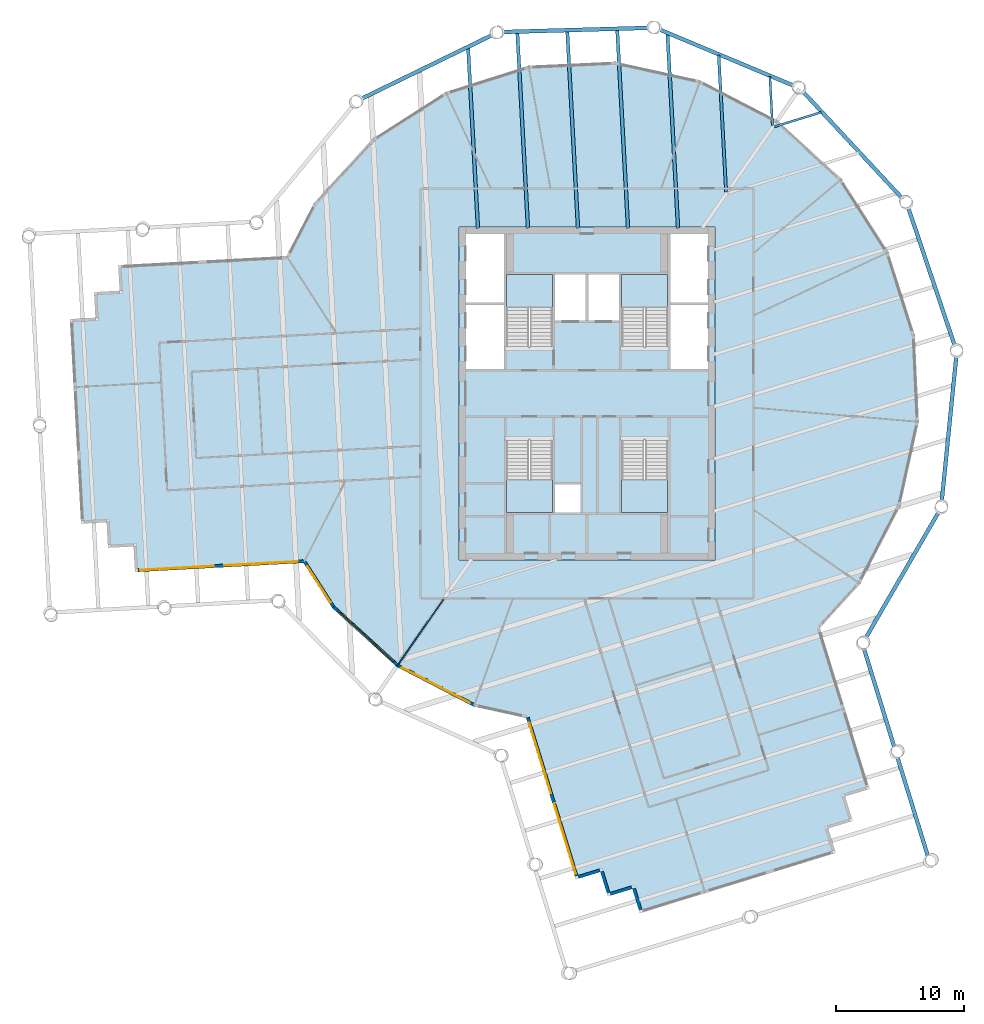
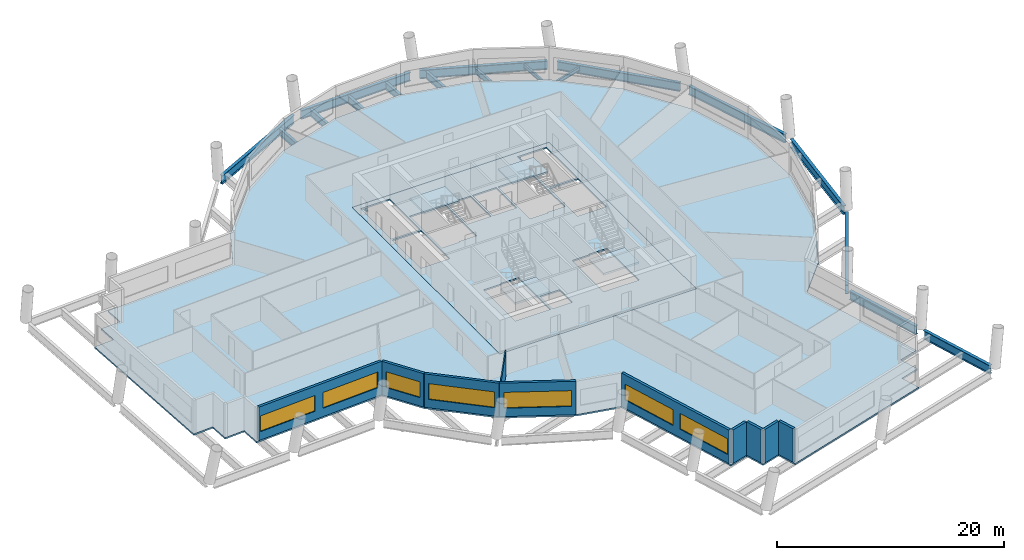
# One storey, part 2 of 11: 17 beams, 10 walls, 7 windows, 6 slabs, 7 openings, 4 elements without a shape of their own.
"""IFC4 building model written with IfcOpenShell, lengths in metres."""

import ifcopenshell
import ifcopenshell.guid

model = None  # the IFC model being written
_history = None  # IfcOwnerHistory: only IFC2X3 demands one
_inside = {}  # id of a spatial element -> (the spatial element, [elements in it])
_under = {}  # id of a project, library or spatial element -> (it, [spatial elements below it])
_declared = {}  # id of a project -> (the project, [libraries it declares])
_typed = {}  # id of a type object -> (the type object, [elements of that type])
_made_of = {}  # id of a material, layer set ... -> (it, [elements and type objects made of it])


def new_model(schema):
    """Start an empty IFC model of exactly this schema.

    Asked for "IFC4X3", IfcOpenShell would pick the latest addendum, in which some entities
    have other attributes; the version numbers below select the first issue.
    IFC2X3 requires an IfcOwnerHistory on every rooted entity: one is made here for all.
    """
    global model, _history
    if schema == "IFC4X3":
        model = ifcopenshell.file(schema_version=(4, 3, 0, 0))
    else:
        model = ifcopenshell.file(schema=schema)
    _inside.clear()
    _under.clear()
    _declared.clear()
    _typed.clear()
    _made_of.clear()
    _history = None
    if model.schema == "IFC2X3":
        org = make("IfcOrganization", Name="unknown")
        user = make(
            "IfcPersonAndOrganization",
            ThePerson=make("IfcPerson", FamilyName="unknown"),
            TheOrganization=org,
        )
        app = make(
            "IfcApplication",
            ApplicationDeveloper=org,
            Version="unknown",
            ApplicationFullName="unknown",
            ApplicationIdentifier="unknown",
        )
        _history = make(
            "IfcOwnerHistory",
            OwningUser=user,
            OwningApplication=app,
            ChangeAction="ADDED",
            CreationDate=0,
        )
    return model


def make(cls, **values):
    """One entity of the class cls with the attributes given. An attribute that is None is left unset."""
    return model.create_entity(
        cls, **{name: value for name, value in values.items() if value is not None}
    )


def rooted(cls, **values):
    """An entity with a GlobalId (a new one), such as an element, a storey or a relation."""
    return make(cls, GlobalId=ifcopenshell.guid.new(), OwnerHistory=_history, **values)


def si_unit(unit_type, name, prefix=None):
    """IfcSIUnit, for example si_unit("LENGTHUNIT", "METRE", prefix="MILLI")."""
    return make("IfcSIUnit", UnitType=unit_type, Prefix=prefix, Name=name)


def assignment(units):
    """IfcUnitAssignment: the units of a project."""
    return None if units is None else make("IfcUnitAssignment", Units=units)


def point(xyz):
    """IfcCartesianPoint."""
    return None if xyz is None else make("IfcCartesianPoint", Coordinates=xyz)


def direction(xyz):
    """IfcDirection."""
    return None if xyz is None else make("IfcDirection", DirectionRatios=xyz)


def frame(location, z_axis=None, x_axis=None):
    """IfcAxis2Placement3D, a coordinate frame: its origin and axes. An axis left out is left unset."""
    return make(
        "IfcAxis2Placement3D",
        Location=point(location),
        Axis=direction(z_axis),
        RefDirection=direction(x_axis),
    )


def frame_2d(location, x_axis=None):
    """IfcAxis2Placement2D, a coordinate frame in the plane: its origin and x axis."""
    return make(
        "IfcAxis2Placement2D", Location=point(location), RefDirection=direction(x_axis)
    )


def origin():
    """The frame at (0, 0, 0) with its axes left unset."""
    return frame((0.0, 0.0, 0.0))


def origin_2d():
    """The frame at (0, 0) in the plane with its x axis left unset."""
    return frame_2d((0.0, 0.0))


def place(relative_to, where):
    """IfcLocalPlacement: puts the frame where relative to a parent placement (None: the world)."""
    return make(
        "IfcLocalPlacement", PlacementRelTo=relative_to, RelativePlacement=where
    )


def context(
    kind, dimensions, precision=None, world=None, true_north=None, identifier=None
):
    """IfcGeometricRepresentationContext, for example the 3D "Model" context."""
    return make(
        "IfcGeometricRepresentationContext",
        ContextIdentifier=identifier,
        ContextType=kind,
        CoordinateSpaceDimension=dimensions,
        Precision=precision,
        WorldCoordinateSystem=world,
        TrueNorth=true_north,
    )


def subcontext(parent, identifier, kind, view, scale=None):
    """IfcGeometricRepresentationSubContext, for example "Body" below "Model"."""
    return make(
        "IfcGeometricRepresentationSubContext",
        ContextIdentifier=identifier,
        ContextType=kind,
        ParentContext=parent,
        TargetScale=scale,
        TargetView=view,
    )


def project(units=None, contexts=None):
    """IfcProject with its units and contexts."""
    return rooted(
        "IfcProject",
        Name="project",
        RepresentationContexts=contexts,
        UnitsInContext=assignment(units),
    )


def spatial(cls, under=None, at=None, **own):
    """A site, building, storey or space (cls), placed at a placement, below another one or the project."""
    s = rooted(cls, ObjectPlacement=at, **own)
    if under is not None:
        _under.setdefault(under.id(), (under, []))[1].append(s)
    return s


def polyline(points):
    """IfcPolyline through the points."""
    return make("IfcPolyline", Points=[point(p) for p in points])


def profile(cls, at=None, kind="AREA", **sizes):
    """A parametric profile (cls). Its sizes go by their IFC names, for example OverallWidth=200.0."""
    return make(cls, ProfileType=kind, Position=at, **sizes)


def rectangle(**sizes):
    """IfcRectangleProfileDef."""
    return profile("IfcRectangleProfileDef", **sizes)


def i_section(**sizes):
    """IfcIShapeProfileDef."""
    return profile("IfcIShapeProfileDef", **sizes)


def outline(outer, holes=None, kind="AREA"):
    """IfcArbitraryClosedProfileDef: a profile drawn as a closed curve; with holes, ...WithVoids."""
    if holes is None:
        return make("IfcArbitraryClosedProfileDef", ProfileType=kind, OuterCurve=outer)
    return make(
        "IfcArbitraryProfileDefWithVoids",
        ProfileType=kind,
        OuterCurve=outer,
        InnerCurves=holes,
    )


def extrude(swept, where, along, depth):
    """IfcExtrudedAreaSolid: the profile swept, set in the frame where, extruded along a direction by depth."""
    return make(
        "IfcExtrudedAreaSolid",
        SweptArea=swept,
        Position=where,
        ExtrudedDirection=direction(along),
        Depth=depth,
    )


def shape(context_of_items, identifier, shape_type, items):
    """IfcShapeRepresentation: the items that make up one representation, for example the "Body"."""
    return make(
        "IfcShapeRepresentation",
        ContextOfItems=context_of_items,
        RepresentationIdentifier=identifier,
        RepresentationType=shape_type,
        Items=items,
    )


def material(Name=None, Category=None):
    """IfcMaterial."""
    return make("IfcMaterial", Name=Name, Category=Category)


def layer(
    of_material, thickness, ventilated=None, Name=None, Category=None, Priority=None
):
    """IfcMaterialLayer: one layer of a wall or slab, of a material (None: an air gap)."""
    return make(
        "IfcMaterialLayer",
        Material=of_material,
        LayerThickness=thickness,
        IsVentilated=ventilated,
        Name=Name,
        Category=Category,
        Priority=Priority,
    )


def layer_set(layers, Name=None):
    """IfcMaterialLayerSet."""
    return make("IfcMaterialLayerSet", MaterialLayers=layers, LayerSetName=Name)


def material_profile(
    of_material, cross_section, Name=None, Category=None, Priority=None
):
    """IfcMaterialProfile: a cross section and its material."""
    return make(
        "IfcMaterialProfile",
        Name=Name,
        Material=of_material,
        Profile=cross_section,
        Priority=Priority,
        Category=Category,
    )


def profile_set(profiles, Name=None, composite=None):
    """IfcMaterialProfileSet."""
    return make(
        "IfcMaterialProfileSet",
        Name=Name,
        MaterialProfiles=profiles,
        CompositeProfile=composite,
    )


def made_of(thing, what):
    """Note that an element or type object is made of a material, layer set ...; save() writes the relation."""
    if what is not None:
        _made_of.setdefault(what.id(), (what, []))[1].append(thing)
    return thing


def type_object(cls, material=None, **own):
    """A type object (cls), such as IfcWallType, which elements share."""
    return made_of(rooted(cls, **own), material)


def element(
    cls,
    number,
    at=None,
    inside=None,
    cuts=None,
    type_object=None,
    material=None,
    context=None,
    identifier="Body",
    shape_type=None,
    held_by="IfcProductDefinitionShape",
    body=None,
    shapes=None,
    **own,
):
    """One element of the class cls, such as IfcWall. Its Tag is "e" and its number.

    at: its placement. inside: the storey or other place that contains it. cuts: it is an
    opening in that element (IfcRelVoidsElement). A single representation is given by context,
    identifier, shape_type and body (its items); several are given by shapes. held_by: the class
    of the entity that holds the representations. save() writes the other relations.
    """
    e = rooted(cls, Tag="e%d" % number, ObjectPlacement=at, **own)
    if body is not None:
        shapes = [shape(context, identifier, shape_type, body)]
    if shapes is not None:
        e.Representation = make(held_by, Representations=shapes)
    if inside is not None:
        _inside.setdefault(inside.id(), (inside, []))[1].append(e)
    if cuts is not None:
        rooted(
            "IfcRelVoidsElement", RelatingBuildingElement=cuts, RelatedOpeningElement=e
        )
    if type_object is not None:
        _typed.setdefault(type_object.id(), (type_object, []))[1].append(e)
    return made_of(e, material)


def fill(opening, filler):
    """IfcRelFillsElement: the door or window that sits in an opening."""
    return rooted(
        "IfcRelFillsElement",
        RelatingOpeningElement=opening,
        RelatedBuildingElement=filler,
    )


def aggregate(whole, parts):
    """IfcRelAggregates: a whole, such as a stair, and the parts it consists of."""
    return rooted("IfcRelAggregates", RelatingObject=whole, RelatedObjects=parts)


def save(model, path):
    """Write the relations noted so far, then the file.

    IfcRelAggregates (storeys below a building ...), IfcRelContainedInSpatialStructure (elements
    in a storey), IfcRelDefinesByType, IfcRelAssociatesMaterial and IfcRelDeclares: one each for
    every whole, place, type object, material and project.
    """
    for whole, parts in _under.values():
        aggregate(whole, parts)
    for where, things in _inside.values():
        rooted(
            "IfcRelContainedInSpatialStructure",
            RelatedElements=things,
            RelatingStructure=where,
        )
    for kind, things in _typed.values():
        rooted("IfcRelDefinesByType", RelatedObjects=things, RelatingType=kind)
    for what, things in _made_of.values():
        rooted("IfcRelAssociatesMaterial", RelatedObjects=things, RelatingMaterial=what)
    for by, libraries in _declared.values():
        rooted("IfcRelDeclares", RelatingContext=by, RelatedDefinitions=libraries)
    model.write(path)


model = new_model("IFC4")

# Units and contexts
model_context = context("Model", 3, precision=1e-05, world=origin(), true_north=direction((0.0, 1.0)))
body_context = subcontext(model_context, "Body", "Model", "MODEL_VIEW")
ifc_project = project(units=[si_unit("LENGTHUNIT", "METRE"), si_unit("AREAUNIT", "SQUARE_METRE"), si_unit("VOLUMEUNIT", "CUBIC_METRE"), si_unit("PLANEANGLEUNIT", "RADIAN"), si_unit("MASSUNIT", "GRAM", prefix="KILO")], contexts=[model_context])

# Site, building, storey
site_placement = place(None, origin())
site = spatial("IfcSite", under=ifc_project, at=site_placement, CompositionType="ELEMENT")
building_placement = place(site_placement, origin())
building = spatial("IfcBuilding", under=site, at=building_placement, Name="Tarsis Ring Headquarters", CompositionType="ELEMENT")
storey_placement = place(building_placement, frame((0.0, 0.0, 298.10009765625)))
storey = spatial("IfcBuildingStorey", under=building, at=storey_placement, Name="L70", CompositionType="ELEMENT", Elevation=298.10009765625)

# Beams
ifc_material_1 = material(Name="Structural steel S355", Category="steel")
ifc_material_profile_1 = material_profile(ifc_material_1, i_section(OverallWidth=0.177734375, OverallDepth=0.406494140625, WebThickness=0.0078125, FlangeThickness=0.0126953125, at=origin_2d()), Name="W16x40")
ifc_profile_set_1 = profile_set([ifc_material_profile_1], Name="Structural steel S355")
beam_type_1 = type_object("IfcBeamType", Name="FB Floor beam W16x40", PredefinedType="JOIST", material=ifc_profile_set_1)
beam_1_placement = place(storey_placement, frame((14.635009765625, 20.831298828125, -0.36328125), z_axis=(0.955695738602, 0.294356340542, 0.0), x_axis=(-0.294356340542, 0.955695738602, 0.0)))
element("IfcBeam", 1, at=beam_1_placement, inside=storey, type_object=beam_type_1, Name="Floor beam FB1", PredefinedType="JOIST", context=body_context, shape_type="SweptSolid", body=[
    extrude(i_section(OverallWidth=0.177734375, OverallDepth=0.406494140625, WebThickness=0.0078125, FlangeThickness=0.0126953125, at=origin_2d()), origin(), (0.0, 0.0, 1.0), 3.805419921875),
])
beam_2_placement = place(storey_placement, frame((14.274658203125, 24.737548828125, -0.36328125), z_axis=(0.054471471622, -0.998515327263, 0.0), x_axis=(0.998515327263, 0.054471471622, 0.0)))
element("IfcBeam", 2, at=beam_2_placement, inside=storey, type_object=beam_type_1, Name="Floor beam FB1", PredefinedType="JOIST", context=body_context, shape_type="SweptSolid", body=[
    extrude(i_section(OverallWidth=0.177734375, OverallDepth=0.406494140625, WebThickness=0.0078125, FlangeThickness=0.0126953125, at=origin_2d()), origin(), (0.0, 0.0, 1.0), 3.80517578125),
])
ifc_material_profile_2 = material_profile(ifc_material_1, i_section(OverallWidth=0.228271484375, OverallDepth=0.607177734375, WebThickness=0.01123046875, FlangeThickness=0.017333984375, at=origin_2d()), Name="W24x76")
ifc_profile_set_2 = profile_set([ifc_material_profile_2], Name="Structural steel S355")
beam_type_2 = type_object("IfcBeamType", Name="FB Floor beam W24x76", PredefinedType="JOIST", material=ifc_profile_set_2)
beam_3_placement = place(storey_placement, frame((10.27783203125, 26.41015625, -0.463623046875), z_axis=(0.054428455959, -0.998517672944, 0.0), x_axis=(0.998517672944, 0.054428455959, 0.0)))
element("IfcBeam", 3, at=beam_3_placement, inside=storey, type_object=beam_type_2, Name="Floor beam FB4", PredefinedType="JOIST", context=body_context, shape_type="SweptSolid", body=[
    extrude(i_section(OverallWidth=0.228271484375, OverallDepth=0.607177734375, WebThickness=0.01123046875, FlangeThickness=0.017333984375, at=origin_2d()), origin(), (0.0, 0.0, 1.0), 10.6845703125),
])
ifc_material_profile_3 = material_profile(ifc_material_1, i_section(OverallWidth=0.2666015625, OverallDepth=0.7568359375, WebThickness=0.013916015625, FlangeThickness=0.019287109375, at=origin_2d()), Name="W30x108")
ifc_profile_set_3 = profile_set([ifc_material_profile_3], Name="Structural steel S355")
beam_type_3 = type_object("IfcBeamType", Name="FB Floor beam W30x108", PredefinedType="JOIST", material=ifc_profile_set_3)
beam_4_placement = place(storey_placement, frame((6.28076171875, 28.0830078125, -0.53857421875), z_axis=(0.054430438581, -0.998517564871, 0.0), x_axis=(0.998517564871, 0.054430438581, 0.0)))
element("IfcBeam", 4, at=beam_4_placement, inside=storey, type_object=beam_type_3, Name="Floor beam FB6", PredefinedType="JOIST", context=body_context, shape_type="SweptSolid", body=[
    extrude(i_section(OverallWidth=0.2666015625, OverallDepth=0.7568359375, WebThickness=0.013916015625, FlangeThickness=0.019287109375, at=origin_2d()), origin(), (0.0, 0.0, 1.0), 15.205322265625),
])
beam_5_placement = place(storey_placement, frame((2.356689453125, 28.41943359375, -0.53857421875), z_axis=(0.054428614012, -0.998517664329, 0.0), x_axis=(0.998517664329, 0.054428614012, 0.0)))
element("IfcBeam", 5, at=beam_5_placement, inside=storey, type_object=beam_type_3, Name="Floor beam FB6", PredefinedType="JOIST", context=body_context, shape_type="SweptSolid", body=[
    extrude(i_section(OverallWidth=0.2666015625, OverallDepth=0.7568359375, WebThickness=0.013916015625, FlangeThickness=0.019287109375, at=origin_2d()), origin(), (0.0, 0.0, 1.0), 15.542236328125),
])
beam_6_placement = place(storey_placement, frame((-1.54296875, 28.30810546875, -0.53857421875), z_axis=(0.054426347077, -0.998517787896, 0.0), x_axis=(0.998517787896, 0.054426347077, 0.0)))
element("IfcBeam", 6, at=beam_6_placement, inside=storey, type_object=beam_type_3, Name="Floor beam FB6", PredefinedType="JOIST", context=body_context, shape_type="SweptSolid", body=[
    extrude(i_section(OverallWidth=0.2666015625, OverallDepth=0.7568359375, WebThickness=0.013916015625, FlangeThickness=0.019287109375, at=origin_2d()), origin(), (0.0, 0.0, 1.0), 15.430908203125),
])
beam_7_placement = place(storey_placement, frame((-5.442626953125, 28.19677734375, -0.53857421875), z_axis=(0.054424047143, -0.998517913256, 0.0), x_axis=(0.998517913256, 0.054424047143, 0.0)))
element("IfcBeam", 7, at=beam_7_placement, inside=storey, type_object=beam_type_3, Name="Floor beam FB6", PredefinedType="JOIST", context=body_context, shape_type="SweptSolid", body=[
    extrude(i_section(OverallWidth=0.2666015625, OverallDepth=0.7568359375, WebThickness=0.013916015625, FlangeThickness=0.019287109375, at=origin_2d()), origin(), (0.0, 0.0, 1.0), 15.3193359375),
])
beam_8_placement = place(storey_placement, frame((-9.282958984375, 26.993896484375, -0.53857421875), z_axis=(0.054433451009, -0.998517400655, 0.0), x_axis=(0.998517400655, 0.054433451009, 0.0)))
element("IfcBeam", 8, at=beam_8_placement, inside=storey, type_object=beam_type_3, Name="Floor beam FB6", PredefinedType="JOIST", context=body_context, shape_type="SweptSolid", body=[
    extrude(i_section(OverallWidth=0.2666015625, OverallDepth=0.7568359375, WebThickness=0.013916015625, FlangeThickness=0.019287109375, at=origin_2d()), origin(), (0.0, 0.0, 1.0), 14.11474609375),
])
ifc_material_profile_4 = material_profile(ifc_material_1, i_section(OverallWidth=0.309814453125, OverallDepth=0.93212890625, WebThickness=0.02099609375, FlangeThickness=0.034423828125, at=origin_2d()), Name="W36x210")
ifc_profile_set_4 = profile_set([ifc_material_profile_4], Name="Structural steel S355")
beam_type_4 = type_object("IfcBeamType", Name="XG Ring girder W36x210", PredefinedType="BEAM", material=ifc_profile_set_4)
for number, where, z_axis, x_axis, name in (
    (9, (26.60888671875, -36.10986328125, -0.46630859375), (-0.294395110876, 0.955683796395, 0.0), (-0.955683796395, -0.294395110876, 0.0), "Ring girder XG3"),
    (10, (23.98828125, -27.60205078125, -0.46630859375), (-0.294395110876, 0.955683796395, 0.0), (-0.955683796395, -0.294395110876, 0.0), "Ring girder XG3"),
):
    element("IfcBeam", number, at=place(storey_placement, frame(where, z_axis=z_axis, x_axis=x_axis)), inside=storey, type_object=beam_type_4, Name=name, PredefinedType="BEAM", context=body_context, shape_type="SweptSolid", body=[
        extrude(i_section(OverallWidth=0.309814453125, OverallDepth=0.93212890625, WebThickness=0.02099609375, FlangeThickness=0.034423828125, at=origin_2d()), origin(), (0.0, 0.0, 1.0), 7.98779296875),
    ])
for number, where, z_axis, x_axis, name in (
    (11, (21.7314453125, -19.135498046875, -0.46630859375), (0.501187398807, 0.865338772549, 0.0), (-0.865338772549, 0.501187398807, 0.0), "Ring girder XG3"),
    (12, (27.68701171875, -8.47705078125, -0.46630859375), (0.099943028713, 0.994993161289, 0.0), (-0.994993161289, 0.099943028713, 0.0), "Ring girder XG3"),
    (13, (28.7197265625, 3.68896484375, -0.46630859375), (-0.319069604252, 0.947731284512, 0.0), (-0.947731284512, -0.319069604252, 0.0), "Ring girder XG3"),
    (14, (24.645751953125, 15.198974609375, -0.46630859375), (-0.681344521081, 0.731962870365, 0.0), (-0.731962870365, -0.681344521081, 0.0), "Ring girder XG3"),
    (15, (16.18994140625, 24.006591796875, -0.46630859375), (-0.922483804449, 0.386035789183, 0.0), (-0.386035789183, -0.922483804449, 0.0), "Ring girder XG3"),
    (16, (4.85546875, 28.545654296875, -0.46630859375), (-0.999593262741, -0.02851857435, 0.0), (0.02851857435, -0.999593262741, 0.0), "Ring girder XG3"),
    (17, (-7.342529296875, 28.009033203125, -0.46630859375), (-0.898980735445, -0.437988170273, 0.0), (0.437988170273, -0.898980735445, 0.0), "Ring girder XG3"),
):
    element("IfcBeam", number, at=place(storey_placement, frame(where, z_axis=z_axis, x_axis=x_axis)), inside=storey, type_object=beam_type_4, Name=name, PredefinedType="BEAM", context=body_context, shape_type="SweptSolid", body=[
        extrude(i_section(OverallWidth=0.309814453125, OverallDepth=0.93212890625, WebThickness=0.02099609375, FlangeThickness=0.034423828125, at=origin_2d()), origin(), (0.0, 0.0, 1.0), 11.33447265625),
    ])

# Slab
ifc_material_2 = material(Name="Concrete C40/50", Category="concrete")
ifc_layer_1 = layer(ifc_material_2, 0.159912109375)
ifc_layer_set_1 = layer_set([ifc_layer_1], Name="Core floor slab 160 C40/50")
slab_type_1 = type_object("IfcSlabType", Name="Core floor slab 160 C40/50", PredefinedType="FLOOR", material=ifc_layer_set_1)
slab_1_placement = place(storey_placement, frame((0.0, 0.0, -0.16015625)))
element("IfcSlab", 18, at=slab_1_placement, inside=storey, type_object=slab_type_1, Name="L70 core floor slab", PredefinedType="FLOOR", context=body_context, shape_type="SweptSolid", body=[
    extrude(outline(polyline([(-10.0, -13.0), (10.0, -13.0), (10.0, 13.0), (-10.0, 13.0), (-10.0, -13.0)]), holes=[polyline([(-2.5, 5.699951171875), (-0.10009765625, 5.699951171875), (-0.10009765625, 9.300048828125), (-2.5, 9.300048828125), (-2.5, 5.699951171875)]), polyline([(0.10009765625, 5.699951171875), (2.5, 5.699951171875), (2.5, 9.300048828125), (0.10009765625, 9.300048828125), (0.10009765625, 5.699951171875)]), polyline([(-9.449951171875, 1.89990234375), (-6.5, 1.89990234375), (-6.5, 6.89990234375), (-9.449951171875, 6.89990234375), (-9.449951171875, 1.89990234375)]), polyline([(-9.449951171875, 7.10009765625), (-6.5, 7.10009765625), (-6.5, 12.449951171875), (-9.449951171875, 12.449951171875), (-9.449951171875, 7.10009765625)]), polyline([(6.5, 1.89990234375), (9.449951171875, 1.89990234375), (9.449951171875, 6.89990234375), (6.5, 6.89990234375), (6.5, 1.89990234375)]), polyline([(6.5, 7.10009765625), (9.449951171875, 7.10009765625), (9.449951171875, 12.449951171875), (6.5, 12.449951171875), (6.5, 7.10009765625)]), polyline([(-2.5, -9.300048828125), (-0.5, -9.300048828125), (-0.5, -7.10009765625), (-2.5, -7.10009765625), (-2.5, -9.300048828125)]), polyline([(-2.699951171875, 3.760009765625), (-2.699951171875, 9.300048828125), (-6.300048828125, 9.300048828125), (-6.300048828125, 3.659912109375), (-4.4599609375, 3.659912109375), (-4.4599609375, 3.760009765625), (-2.699951171875, 3.760009765625)]), polyline([(6.300048828125, 3.760009765625), (6.300048828125, 9.300048828125), (2.699951171875, 9.300048828125), (2.699951171875, 3.659912109375), (4.5400390625, 3.659912109375), (4.5400390625, 3.760009765625), (6.300048828125, 3.760009765625)]), polyline([(-6.300048828125, -3.760009765625), (-6.300048828125, -9.300048828125), (-2.699951171875, -9.300048828125), (-2.699951171875, -3.659912109375), (-4.5400390625, -3.659912109375), (-4.5400390625, -3.760009765625), (-6.300048828125, -3.760009765625)]), polyline([(2.699951171875, -3.760009765625), (2.699951171875, -9.300048828125), (6.300048828125, -9.300048828125), (6.300048828125, -3.659912109375), (4.4599609375, -3.659912109375), (4.4599609375, -3.760009765625), (2.699951171875, -3.760009765625)])]), origin(), (0.0, 0.0, 1.0), 0.16015625),
])

# Stair, slab
ifc_material_3 = material(Name="Core stair 1760")
stair_type = type_object("IfcStairType", Name="Core stair 1760", PredefinedType="HALF_TURN_STAIR", material=ifc_material_3)
stair_1_placement = place(storey_placement, origin())
stair_1 = element("IfcStair", 19, at=stair_1_placement, inside=storey, type_object=stair_type, Name="L70 Firefighting stair", PredefinedType="HALF_TURN_STAIR")
ifc_layer_2 = layer(ifc_material_2, 0.199951171875)
ifc_layer_set_2 = layer_set([ifc_layer_2], Name="Core stair landing 200")
slab_type_2 = type_object("IfcSlabType", Name="Core stair landing 200", PredefinedType="LANDING", material=ifc_layer_set_2)
slab_2_placement = place(storey_placement, frame((0.0, 0.0, 1.75)))
slab_2 = element("IfcSlab", 20, at=slab_2_placement, type_object=slab_type_2, Name="Stair ST1 landing 1", PredefinedType="LANDING", context=body_context, shape_type="SweptSolid", body=[
    extrude(outline(polyline([(-2.699951171875, 6.739990234375), (-2.699951171875, 9.300048828125), (-6.300048828125, 9.300048828125), (-6.300048828125, 6.739990234375), (-2.699951171875, 6.739990234375)])), origin(), (0.0, 0.0, 1.0), 0.199951171875),
])
aggregate(stair_1, [slab_2])

stair_2_placement = place(storey_placement, origin())
stair_2 = element("IfcStair", 21, at=stair_2_placement, inside=storey, type_object=stair_type, Name="L70 Exit stair B", PredefinedType="HALF_TURN_STAIR")
slab_3_placement = place(storey_placement, frame((0.0, 0.0, 1.75)))
slab_3 = element("IfcSlab", 22, at=slab_3_placement, type_object=slab_type_2, Name="Stair ST2 landing 1", PredefinedType="LANDING", context=body_context, shape_type="SweptSolid", body=[
    extrude(outline(polyline([(6.300048828125, 6.739990234375), (6.300048828125, 9.300048828125), (2.699951171875, 9.300048828125), (2.699951171875, 6.739990234375), (6.300048828125, 6.739990234375)])), origin(), (0.0, 0.0, 1.0), 0.199951171875),
])
aggregate(stair_2, [slab_3])

stair_3_placement = place(storey_placement, origin())
stair_3 = element("IfcStair", 23, at=stair_3_placement, inside=storey, type_object=stair_type, Name="L70 Exit stair C", PredefinedType="HALF_TURN_STAIR")
slab_4_placement = place(storey_placement, frame((0.0, 0.0, 1.75)))
slab_4 = element("IfcSlab", 24, at=slab_4_placement, type_object=slab_type_2, Name="Stair ST3 landing 1", PredefinedType="LANDING", context=body_context, shape_type="SweptSolid", body=[
    extrude(outline(polyline([(-6.300048828125, -6.739990234375), (-6.300048828125, -9.300048828125), (-2.699951171875, -9.300048828125), (-2.699951171875, -6.739990234375), (-6.300048828125, -6.739990234375)])), origin(), (0.0, 0.0, 1.0), 0.199951171875),
])
aggregate(stair_3, [slab_4])

stair_4_placement = place(storey_placement, origin())
stair_4 = element("IfcStair", 25, at=stair_4_placement, inside=storey, type_object=stair_type, Name="L70 Exit stair D", PredefinedType="HALF_TURN_STAIR")
slab_5_placement = place(storey_placement, frame((0.0, 0.0, 1.75)))
slab_5 = element("IfcSlab", 26, at=slab_5_placement, type_object=slab_type_2, Name="Stair ST4 landing 1", PredefinedType="LANDING", context=body_context, shape_type="SweptSolid", body=[
    extrude(outline(polyline([(2.699951171875, -6.739990234375), (2.699951171875, -9.300048828125), (6.300048828125, -9.300048828125), (6.300048828125, -6.739990234375), (2.699951171875, -6.739990234375)])), origin(), (0.0, 0.0, 1.0), 0.199951171875),
])
aggregate(stair_4, [slab_5])

# Slab
ifc_material_4 = material(Name="Concrete C35/45", Category="concrete")
ifc_layer_3 = layer(ifc_material_4, 0.159912109375)
ifc_layer_set_3 = layer_set([ifc_layer_3], Name="FS Composite floor slab 160")
slab_type_3 = type_object("IfcSlabType", Name="FS Composite floor slab 160", PredefinedType="FLOOR", material=ifc_layer_set_3)
slab_6_placement = place(storey_placement, frame((0.0, 0.0, -0.16015625)))
element("IfcSlab", 27, at=slab_6_placement, inside=storey, type_object=slab_type_3, Name="Floor slab L70", PredefinedType="FLOOR", context=body_context, shape_type="SweptSolid", body=[
    extrude(outline(polyline([(-22.14111328125, -13.224609375), (-19.882080078125, -16.754150390625), (-14.868408203125, -21.3291015625), (-8.84130859375, -24.45068359375), (-4.748291015625, -25.348876953125), (-0.870849609375, -37.937255859375), (1.04052734375, -37.3486328125), (1.62939453125, -39.260009765625), (3.540771484375, -38.671142578125), (4.12939453125, -40.58251953125), (19.42041015625, -35.87255859375), (18.831787109375, -33.961181640625), (20.7431640625, -33.37255859375), (20.154296875, -31.461181640625), (22.065673828125, -30.872314453125), (18.1943359375, -18.3037109375), (21.3291015625, -14.868408203125), (24.45068359375, -8.84130859375), (25.90576171875, -2.2119140625), (25.595458984375, 4.568359375), (23.541015625, 11.037353515625), (19.882080078125, 16.754150390625), (14.868408203125, 21.3291015625), (8.84130859375, 24.45068359375), (2.2119140625, 25.90576171875), (-4.568359375, 25.595458984375), (-11.037353515625, 23.541015625), (-16.754150390625, 19.882080078125), (-21.3291015625, 14.868408203125), (-23.468017578125, 10.738525390625), (-36.599853515625, 10.02294921875), (-36.490966796875, 8.02587890625), (-38.488037109375, 7.9169921875), (-38.379150390625, 5.919921875), (-40.376220703125, 5.81103515625), (-39.50537109375, -10.165283203125), (-37.50830078125, -10.056396484375), (-37.3994140625, -12.053466796875), (-35.40234375, -11.944580078125), (-35.29345703125, -13.941650390625), (-22.14111328125, -13.224609375)]), holes=[polyline([(-10.0, -13.0), (-10.0, 13.0), (10.0, 13.0), (10.0, -13.0), (-10.0, -13.0)])]), origin(), (0.0, 0.0, 1.0), 0.16015625),
])

# Wall
ifc_material_5 = material(Name="Gypsum board on steel studs", Category="steel")
ifc_layer_4 = layer(ifc_material_5, 0.10009765625)
ifc_layer_set_4 = layer_set([ifc_layer_4], Name="FL partition 100 unrated")
wall_type_1 = type_object("IfcWallType", Name="FL partition 100 unrated", PredefinedType="PARTITIONING", material=ifc_layer_set_4)
wall_1_placement = place(storey_placement, frame((-14.83837890625, -21.286376953125, 0.0), z_axis=(0.0, 0.0, 1.0), x_axis=(0.571836615619, 0.820367530463, 0.0)))
element("IfcWall", 28, at=wall_1_placement, inside=storey, type_object=wall_type_1, Name="Partition PW3", PredefinedType="PARTITIONING", context=body_context, shape_type="SweptSolid", body=[
    extrude(rectangle(XDim=6.343994140625, YDim=0.10009765625, at=frame_2d((3.171875, 0.0))), origin(), (0.0, 0.0, 1.0), 2.699951171875),
])

# Wall, openings, windows
ifc_material_6 = material(Name="Terracotta clad insulated panel wall", Category="masonry")
ifc_layer_5 = layer(ifc_material_6, 0.25)
ifc_layer_set_5 = layer_set([ifc_layer_5], Name="Facade wall terracotta panel 250")
wall_type_2 = type_object("IfcWallType", Name="Facade wall terracotta panel 250", PredefinedType="STANDARD", material=ifc_layer_set_5)
wall_2_placement = place(storey_placement, frame((-35.05078125, -13.80322265625, 0.0), z_axis=(0.0, 0.0, 1.0), x_axis=(0.998517482162, 0.054431955839, 0.0)))
wall_2 = element("IfcWall", 29, at=wall_2_placement, inside=storey, type_object=wall_type_2, Name="External wall L70-01", PredefinedType="STANDARD", context=body_context, shape_type="SweptSolid", body=[
    extrude(rectangle(XDim=12.921875, YDim=0.25, at=frame_2d((6.4609375, 0.0))), origin(), (0.0, 0.0, 1.0), 3.599853515625),
])
opening_1_placement = place(wall_2_placement, frame((0.16796875, 0.0, 0.89990234375)))
opening_1 = element("IfcOpeningElement", 30, at=opening_1_placement, cuts=wall_2, Name="Opening WN06", PredefinedType="OPENING", context=body_context, shape_type="SweptSolid", body=[
    extrude(rectangle(XDim=5.75, YDim=1.699951171875, at=frame_2d((2.875, 0.85009765625))), frame((0.0, 0.135009765625, 0.0), z_axis=(0.0, -1.0, 0.0), x_axis=(1.0, 0.0, 0.0)), (0.0, 0.0, 1.0), 0.27001953125),
])
opening_2_placement = place(wall_2_placement, frame((6.75390625, 0.0, 0.89990234375)))
opening_2 = element("IfcOpeningElement", 31, at=opening_2_placement, cuts=wall_2, Name="Opening WN06", PredefinedType="OPENING", context=body_context, shape_type="SweptSolid", body=[
    extrude(rectangle(XDim=5.75, YDim=1.699951171875, at=frame_2d((2.875, 0.85009765625))), frame((0.0, 0.135009765625, 0.0), z_axis=(0.0, -1.0, 0.0), x_axis=(1.0, 0.0, 0.0)), (0.0, 0.0, 1.0), 0.27001953125),
])
ifc_material_7 = material(Name="Aluminium framed double glazing", Category="aluminium")
window_type_1 = type_object("IfcWindowType", Name="Facade window 5750 x 1700", PartitioningType="SINGLE_PANEL", PredefinedType="WINDOW", material=ifc_material_7)
window_1_placement = place(opening_1_placement, origin())
window_1 = element("IfcWindow", 32, at=window_1_placement, inside=storey, type_object=window_type_1, Name="Window L70-01.1", OverallHeight=1.699951171875, OverallWidth=5.75, PartitioningType="SINGLE_PANEL", PredefinedType="WINDOW", context=body_context, shape_type="SweptSolid", body=[
    extrude(rectangle(XDim=5.75, YDim=1.699951171875, at=frame_2d((2.875, 0.85009765625))), frame((0.0, 0.030029296875, 0.0), z_axis=(0.0, -1.0, 0.0), x_axis=(1.0, 0.0, 0.0)), (0.0, 0.0, 1.0), 0.06005859375),
])
fill(opening_1, window_1)
window_2_placement = place(opening_2_placement, origin())
window_2 = element("IfcWindow", 33, at=window_2_placement, inside=storey, type_object=window_type_1, Name="Window L70-01.2", OverallHeight=1.699951171875, OverallWidth=5.75, PartitioningType="SINGLE_PANEL", PredefinedType="WINDOW", context=body_context, shape_type="SweptSolid", body=[
    extrude(rectangle(XDim=5.75, YDim=1.699951171875, at=frame_2d((2.875, 0.85009765625))), frame((0.0, 0.030029296875, 0.0), z_axis=(0.0, -1.0, 0.0), x_axis=(1.0, 0.0, 0.0)), (0.0, 0.0, 1.0), 0.06005859375),
])
fill(opening_2, window_2)

# Wall, opening, window
wall_3_placement = place(storey_placement, frame((-22.03564453125, -13.1572265625, 0.0), z_axis=(0.0, 0.0, 1.0), x_axis=(0.539032032843, -0.84228526496, 0.0)))
wall_3 = element("IfcWall", 34, at=wall_3_placement, inside=storey, type_object=wall_type_2, Name="External wall L70-02", PredefinedType="STANDARD", context=body_context, shape_type="SweptSolid", body=[
    extrude(rectangle(XDim=4.157470703125, YDim=0.25, at=frame_2d((2.07861328125, 0.0))), origin(), (0.0, 0.0, 1.0), 3.599853515625),
])
opening_3_placement = place(wall_3_placement, frame((0.420166015625, 0.0, 0.89990234375)))
opening_3 = element("IfcOpeningElement", 35, at=opening_3_placement, cuts=wall_3, Name="Opening WN01", PredefinedType="OPENING", context=body_context, shape_type="SweptSolid", body=[
    extrude(rectangle(XDim=3.35009765625, YDim=1.699951171875, at=frame_2d((1.675048828125, 0.85009765625))), frame((0.0, 0.135009765625, 0.0), z_axis=(0.0, -1.0, 0.0), x_axis=(1.0, 0.0, 0.0)), (0.0, 0.0, 1.0), 0.27001953125),
])
window_type_2 = type_object("IfcWindowType", Name="Facade window 3350 x 1700", PartitioningType="SINGLE_PANEL", PredefinedType="WINDOW", material=ifc_material_7)
window_3_placement = place(opening_3_placement, origin())
window_3 = element("IfcWindow", 36, at=window_3_placement, inside=storey, type_object=window_type_2, Name="Window L70-02.1", OverallHeight=1.699951171875, OverallWidth=3.35009765625, PartitioningType="SINGLE_PANEL", PredefinedType="WINDOW", context=body_context, shape_type="SweptSolid", body=[
    extrude(rectangle(XDim=3.35009765625, YDim=1.699951171875, at=frame_2d((1.675048828125, 0.85009765625))), frame((0.0, 0.030029296875, 0.0), z_axis=(0.0, -1.0, 0.0), x_axis=(1.0, 0.0, 0.0)), (0.0, 0.0, 1.0), 0.06005859375),
])
fill(opening_3, window_3)

wall_4_placement = place(storey_placement, frame((-19.7734375, -16.68408203125, 0.0), z_axis=(0.0, 0.0, 1.0), x_axis=(0.738694632176, -0.67404023648, 0.0)))
wall_4 = element("IfcWall", 37, at=wall_4_placement, inside=storey, type_object=wall_type_2, Name="External wall L70-03", PredefinedType="STANDARD", context=body_context, shape_type="SweptSolid", body=[
    extrude(rectangle(XDim=6.721435546875, YDim=0.25, at=frame_2d((3.36083984375, 0.0))), origin(), (0.0, 0.0, 1.0), 3.599853515625),
])
opening_4_placement = place(wall_4_placement, frame((0.3857421875, 0.0, 0.89990234375)))
opening_4 = element("IfcOpeningElement", 38, at=opening_4_placement, cuts=wall_4, Name="Opening WN07", PredefinedType="OPENING", context=body_context, shape_type="SweptSolid", body=[
    extrude(rectangle(XDim=5.949951171875, YDim=1.699951171875, at=frame_2d((2.97509765625, 0.85009765625))), frame((0.0, 0.135009765625, 0.0), z_axis=(0.0, -1.0, 0.0), x_axis=(1.0, 0.0, 0.0)), (0.0, 0.0, 1.0), 0.27001953125),
])
window_type_3 = type_object("IfcWindowType", Name="Facade window 5950 x 1700", PartitioningType="SINGLE_PANEL", PredefinedType="WINDOW", material=ifc_material_7)
window_4_placement = place(opening_4_placement, origin())
window_4 = element("IfcWindow", 39, at=window_4_placement, inside=storey, type_object=window_type_3, Name="Window L70-03.1", OverallHeight=1.699951171875, OverallWidth=5.949951171875, PartitioningType="SINGLE_PANEL", PredefinedType="WINDOW", context=body_context, shape_type="SweptSolid", body=[
    extrude(rectangle(XDim=5.949951171875, YDim=1.699951171875, at=frame_2d((2.97509765625, 0.85009765625))), frame((0.0, 0.030029296875, 0.0), z_axis=(0.0, -1.0, 0.0), x_axis=(1.0, 0.0, 0.0)), (0.0, 0.0, 1.0), 0.06005859375),
])
fill(opening_4, window_4)

wall_5_placement = place(storey_placement, frame((-14.78173828125, -21.2333984375, 0.0), z_axis=(0.0, 0.0, 1.0), x_axis=(0.887988052701, -0.459866522221, 0.0)))
wall_5 = element("IfcWall", 40, at=wall_5_placement, inside=storey, type_object=wall_type_2, Name="External wall L70-04", PredefinedType="STANDARD", context=body_context, shape_type="SweptSolid", body=[
    extrude(rectangle(XDim=6.7216796875, YDim=0.25, at=frame_2d((3.36083984375, 0.0))), origin(), (0.0, 0.0, 1.0), 3.599853515625),
])
opening_5_placement = place(wall_5_placement, frame((0.3857421875, 0.0, 0.89990234375)))
opening_5 = element("IfcOpeningElement", 41, at=opening_5_placement, cuts=wall_5, Name="Opening WN07", PredefinedType="OPENING", context=body_context, shape_type="SweptSolid", body=[
    extrude(rectangle(XDim=5.949951171875, YDim=1.699951171875, at=frame_2d((2.97509765625, 0.85009765625))), frame((0.0, 0.135009765625, 0.0), z_axis=(0.0, -1.0, 0.0), x_axis=(1.0, 0.0, 0.0)), (0.0, 0.0, 1.0), 0.27001953125),
])
window_5_placement = place(opening_5_placement, origin())
window_5 = element("IfcWindow", 42, at=window_5_placement, inside=storey, type_object=window_type_3, Name="Window L70-04.1", OverallHeight=1.699951171875, OverallWidth=5.949951171875, PartitioningType="SINGLE_PANEL", PredefinedType="WINDOW", context=body_context, shape_type="SweptSolid", body=[
    extrude(rectangle(XDim=5.949951171875, YDim=1.699951171875, at=frame_2d((2.97509765625, 0.85009765625))), frame((0.0, 0.030029296875, 0.0), z_axis=(0.0, -1.0, 0.0), x_axis=(1.0, 0.0, 0.0)), (0.0, 0.0, 1.0), 0.06005859375),
])
fill(opening_5, window_5)

# Wall, openings, windows
wall_6_placement = place(storey_placement, frame((-4.62890625, -25.312255859375, 0.0), z_axis=(0.0, 0.0, 1.0), x_axis=(0.294379245552, -0.95568868351, 0.0)))
wall_6 = element("IfcWall", 43, at=wall_6_placement, inside=storey, type_object=wall_type_2, Name="External wall L70-06", PredefinedType="STANDARD", context=body_context, shape_type="SweptSolid", body=[
    extrude(rectangle(XDim=12.921875, YDim=0.25, at=frame_2d((6.4609375, 0.0))), origin(), (0.0, 0.0, 1.0), 3.599853515625),
])
opening_6_placement = place(wall_6_placement, frame((0.41796875, 0.0, 0.89990234375)))
opening_6 = element("IfcOpeningElement", 44, at=opening_6_placement, cuts=wall_6, Name="Opening WN06", PredefinedType="OPENING", context=body_context, shape_type="SweptSolid", body=[
    extrude(rectangle(XDim=5.75, YDim=1.699951171875, at=frame_2d((2.875, 0.85009765625))), frame((0.0, 0.135009765625, 0.0), z_axis=(0.0, -1.0, 0.0), x_axis=(1.0, 0.0, 0.0)), (0.0, 0.0, 1.0), 0.27001953125),
])
opening_7_placement = place(wall_6_placement, frame((7.00390625, 0.0, 0.89990234375)))
opening_7 = element("IfcOpeningElement", 45, at=opening_7_placement, cuts=wall_6, Name="Opening WN06", PredefinedType="OPENING", context=body_context, shape_type="SweptSolid", body=[
    extrude(rectangle(XDim=5.75, YDim=1.699951171875, at=frame_2d((2.875, 0.85009765625))), frame((0.0, 0.135009765625, 0.0), z_axis=(0.0, -1.0, 0.0), x_axis=(1.0, 0.0, 0.0)), (0.0, 0.0, 1.0), 0.27001953125),
])
window_6_placement = place(opening_6_placement, origin())
window_6 = element("IfcWindow", 46, at=window_6_placement, inside=storey, type_object=window_type_1, Name="Window L70-06.1", OverallHeight=1.699951171875, OverallWidth=5.75, PartitioningType="SINGLE_PANEL", PredefinedType="WINDOW", context=body_context, shape_type="SweptSolid", body=[
    extrude(rectangle(XDim=5.75, YDim=1.699951171875, at=frame_2d((2.875, 0.85009765625))), frame((0.0, 0.030029296875, 0.0), z_axis=(0.0, -1.0, 0.0), x_axis=(1.0, 0.0, 0.0)), (0.0, 0.0, 1.0), 0.06005859375),
])
fill(opening_6, window_6)
window_7_placement = place(opening_7_placement, origin())
window_7 = element("IfcWindow", 47, at=window_7_placement, inside=storey, type_object=window_type_1, Name="Window L70-06.2", OverallHeight=1.699951171875, OverallWidth=5.75, PartitioningType="SINGLE_PANEL", PredefinedType="WINDOW", context=body_context, shape_type="SweptSolid", body=[
    extrude(rectangle(XDim=5.75, YDim=1.699951171875, at=frame_2d((2.875, 0.85009765625))), frame((0.0, 0.030029296875, 0.0), z_axis=(0.0, -1.0, 0.0), x_axis=(1.0, 0.0, 0.0)), (0.0, 0.0, 1.0), 0.06005859375),
])
fill(opening_7, window_7)

# Walls
wall_7_placement = place(storey_placement, frame((-0.668701171875, -37.744384765625, 0.0), z_axis=(0.0, 0.0, 1.0), x_axis=(0.955688466238, 0.294379950914, 0.0)))
element("IfcWall", 48, at=wall_7_placement, inside=storey, type_object=wall_type_2, Name="External wall L70-07", PredefinedType="STANDARD", context=body_context, shape_type="SweptSolid", body=[
    extrude(rectangle(XDim=1.75, YDim=0.25, at=frame_2d((0.875, 0.0))), origin(), (0.0, 0.0, 1.0), 3.599853515625),
])
wall_8_placement = place(storey_placement, frame((1.159912109375, -37.311767578125, 0.0), z_axis=(0.0, 0.0, 1.0), x_axis=(0.294468109441, -0.955661306385, 0.0)))
element("IfcWall", 49, at=wall_8_placement, inside=storey, type_object=wall_type_2, Name="External wall L70-08", PredefinedType="STANDARD", context=body_context, shape_type="SweptSolid", body=[
    extrude(rectangle(XDim=1.750244140625, YDim=0.25, at=frame_2d((0.875, 0.0))), origin(), (0.0, 0.0, 1.0), 3.599853515625),
])
for number, where, z_axis, x_axis, name in (
    (50, (1.83154296875, -39.06689453125, 0.0), (0.0, 0.0, 1.0), (0.955688466238, 0.294379950914, 0.0), "External wall L70-09"),
    (51, (3.66015625, -38.634521484375, 0.0), (0.0, 0.0, 1.0), (0.294379950914, -0.955688466238, 0.0), "External wall L70-10"),
):
    element("IfcWall", number, at=place(storey_placement, frame(where, z_axis=z_axis, x_axis=x_axis)), inside=storey, type_object=wall_type_2, Name=name, PredefinedType="STANDARD", context=body_context, shape_type="SweptSolid", body=[
        extrude(rectangle(XDim=1.75, YDim=0.25, at=frame_2d((0.875, 0.0))), origin(), (0.0, 0.0, 1.0), 3.599853515625),
    ])

save(model, "model.ifc")
